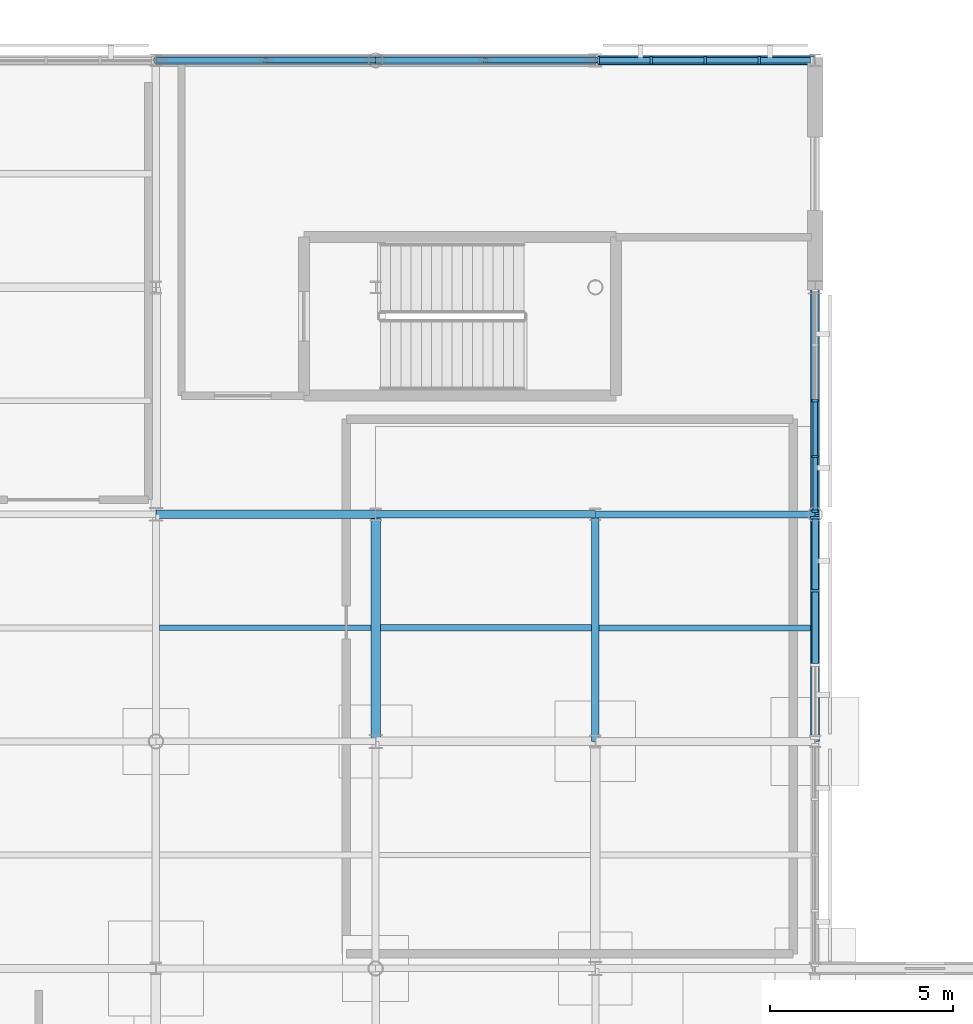
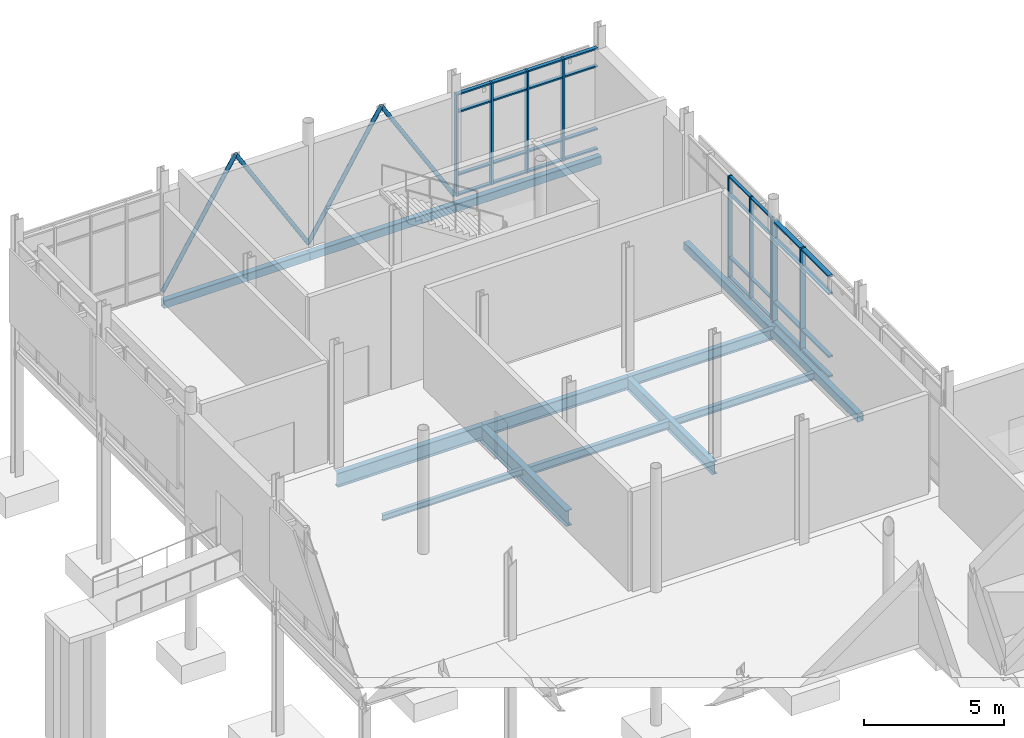
# One storey, part 57 of 98: 45 members, 13 beams, 3 elements without a shape of their own.
"""IFC4 building model written with IfcOpenShell, lengths in metres."""

import ifcopenshell
import ifcopenshell.guid

model = None  # the IFC model being written
_history = None  # IfcOwnerHistory: only IFC2X3 demands one
_inside = {}  # id of a spatial element -> (the spatial element, [elements in it])
_under = {}  # id of a project, library or spatial element -> (it, [spatial elements below it])
_declared = {}  # id of a project -> (the project, [libraries it declares])
_typed = {}  # id of a type object -> (the type object, [elements of that type])
_made_of = {}  # id of a material, layer set ... -> (it, [elements and type objects made of it])


def new_model(schema):
    """Start an empty IFC model of exactly this schema.

    Asked for "IFC4X3", IfcOpenShell would pick the latest addendum, in which some entities
    have other attributes; the version numbers below select the first issue.
    IFC2X3 requires an IfcOwnerHistory on every rooted entity: one is made here for all.
    """
    global model, _history
    if schema == "IFC4X3":
        model = ifcopenshell.file(schema_version=(4, 3, 0, 0))
    else:
        model = ifcopenshell.file(schema=schema)
    _inside.clear()
    _under.clear()
    _declared.clear()
    _typed.clear()
    _made_of.clear()
    _history = None
    if model.schema == "IFC2X3":
        org = make("IfcOrganization", Name="unknown")
        user = make(
            "IfcPersonAndOrganization",
            ThePerson=make("IfcPerson", FamilyName="unknown"),
            TheOrganization=org,
        )
        app = make(
            "IfcApplication",
            ApplicationDeveloper=org,
            Version="unknown",
            ApplicationFullName="unknown",
            ApplicationIdentifier="unknown",
        )
        _history = make(
            "IfcOwnerHistory",
            OwningUser=user,
            OwningApplication=app,
            ChangeAction="ADDED",
            CreationDate=0,
        )
    return model


def make(cls, **values):
    """One entity of the class cls with the attributes given. An attribute that is None is left unset."""
    return model.create_entity(
        cls, **{name: value for name, value in values.items() if value is not None}
    )


def rooted(cls, **values):
    """An entity with a GlobalId (a new one), such as an element, a storey or a relation."""
    return make(cls, GlobalId=ifcopenshell.guid.new(), OwnerHistory=_history, **values)


def si_unit(unit_type, name, prefix=None):
    """IfcSIUnit, for example si_unit("LENGTHUNIT", "METRE", prefix="MILLI")."""
    return make("IfcSIUnit", UnitType=unit_type, Prefix=prefix, Name=name)


def assignment(units):
    """IfcUnitAssignment: the units of a project."""
    return None if units is None else make("IfcUnitAssignment", Units=units)


def point(xyz):
    """IfcCartesianPoint."""
    return None if xyz is None else make("IfcCartesianPoint", Coordinates=xyz)


def direction(xyz):
    """IfcDirection."""
    return None if xyz is None else make("IfcDirection", DirectionRatios=xyz)


def frame(location, z_axis=None, x_axis=None):
    """IfcAxis2Placement3D, a coordinate frame: its origin and axes. An axis left out is left unset."""
    return make(
        "IfcAxis2Placement3D",
        Location=point(location),
        Axis=direction(z_axis),
        RefDirection=direction(x_axis),
    )


def frame_2d(location, x_axis=None):
    """IfcAxis2Placement2D, a coordinate frame in the plane: its origin and x axis."""
    return make(
        "IfcAxis2Placement2D", Location=point(location), RefDirection=direction(x_axis)
    )


def origin():
    """The frame at (0, 0, 0) with its axes left unset."""
    return frame((0.0, 0.0, 0.0))


def origin_2d():
    """The frame at (0, 0) in the plane with its x axis left unset."""
    return frame_2d((0.0, 0.0))


def place(relative_to, where):
    """IfcLocalPlacement: puts the frame where relative to a parent placement (None: the world)."""
    return make(
        "IfcLocalPlacement", PlacementRelTo=relative_to, RelativePlacement=where
    )


def context(
    kind, dimensions, precision=None, world=None, true_north=None, identifier=None
):
    """IfcGeometricRepresentationContext, for example the 3D "Model" context."""
    return make(
        "IfcGeometricRepresentationContext",
        ContextIdentifier=identifier,
        ContextType=kind,
        CoordinateSpaceDimension=dimensions,
        Precision=precision,
        WorldCoordinateSystem=world,
        TrueNorth=true_north,
    )


def subcontext(parent, identifier, kind, view, scale=None):
    """IfcGeometricRepresentationSubContext, for example "Body" below "Model"."""
    return make(
        "IfcGeometricRepresentationSubContext",
        ContextIdentifier=identifier,
        ContextType=kind,
        ParentContext=parent,
        TargetScale=scale,
        TargetView=view,
    )


def project(units=None, contexts=None):
    """IfcProject with its units and contexts."""
    return rooted(
        "IfcProject",
        Name="project",
        RepresentationContexts=contexts,
        UnitsInContext=assignment(units),
    )


def spatial(cls, under=None, at=None, **own):
    """A site, building, storey or space (cls), placed at a placement, below another one or the project."""
    s = rooted(cls, ObjectPlacement=at, **own)
    if under is not None:
        _under.setdefault(under.id(), (under, []))[1].append(s)
    return s


def profile(cls, at=None, kind="AREA", **sizes):
    """A parametric profile (cls). Its sizes go by their IFC names, for example OverallWidth=200.0."""
    return make(cls, ProfileType=kind, Position=at, **sizes)


def rectangle(**sizes):
    """IfcRectangleProfileDef."""
    return profile("IfcRectangleProfileDef", **sizes)


def hollow_rectangle(**sizes):
    """IfcRectangleHollowProfileDef."""
    return profile("IfcRectangleHollowProfileDef", **sizes)


def hollow_circle(**sizes):
    """IfcCircleHollowProfileDef."""
    return profile("IfcCircleHollowProfileDef", **sizes)


def i_section(**sizes):
    """IfcIShapeProfileDef."""
    return profile("IfcIShapeProfileDef", **sizes)


def extrude(swept, where, along, depth):
    """IfcExtrudedAreaSolid: the profile swept, set in the frame where, extruded along a direction by depth."""
    return make(
        "IfcExtrudedAreaSolid",
        SweptArea=swept,
        Position=where,
        ExtrudedDirection=direction(along),
        Depth=depth,
    )


def shape(context_of_items, identifier, shape_type, items):
    """IfcShapeRepresentation: the items that make up one representation, for example the "Body"."""
    return make(
        "IfcShapeRepresentation",
        ContextOfItems=context_of_items,
        RepresentationIdentifier=identifier,
        RepresentationType=shape_type,
        Items=items,
    )


def material(Name=None, Category=None):
    """IfcMaterial."""
    return make("IfcMaterial", Name=Name, Category=Category)


def layer(
    of_material, thickness, ventilated=None, Name=None, Category=None, Priority=None
):
    """IfcMaterialLayer: one layer of a wall or slab, of a material (None: an air gap)."""
    return make(
        "IfcMaterialLayer",
        Material=of_material,
        LayerThickness=thickness,
        IsVentilated=ventilated,
        Name=Name,
        Category=Category,
        Priority=Priority,
    )


def layer_set(layers, Name=None):
    """IfcMaterialLayerSet."""
    return make("IfcMaterialLayerSet", MaterialLayers=layers, LayerSetName=Name)


def material_profile(
    of_material, cross_section, Name=None, Category=None, Priority=None
):
    """IfcMaterialProfile: a cross section and its material."""
    return make(
        "IfcMaterialProfile",
        Name=Name,
        Material=of_material,
        Profile=cross_section,
        Priority=Priority,
        Category=Category,
    )


def profile_set(profiles, Name=None, composite=None):
    """IfcMaterialProfileSet."""
    return make(
        "IfcMaterialProfileSet",
        Name=Name,
        MaterialProfiles=profiles,
        CompositeProfile=composite,
    )


def made_of(thing, what):
    """Note that an element or type object is made of a material, layer set ...; save() writes the relation."""
    if what is not None:
        _made_of.setdefault(what.id(), (what, []))[1].append(thing)
    return thing


def type_object(cls, material=None, **own):
    """A type object (cls), such as IfcWallType, which elements share."""
    return made_of(rooted(cls, **own), material)


def element(
    cls,
    number,
    at=None,
    inside=None,
    cuts=None,
    type_object=None,
    material=None,
    context=None,
    identifier="Body",
    shape_type=None,
    held_by="IfcProductDefinitionShape",
    body=None,
    shapes=None,
    **own,
):
    """One element of the class cls, such as IfcWall. Its Tag is "e" and its number.

    at: its placement. inside: the storey or other place that contains it. cuts: it is an
    opening in that element (IfcRelVoidsElement). A single representation is given by context,
    identifier, shape_type and body (its items); several are given by shapes. held_by: the class
    of the entity that holds the representations. save() writes the other relations.
    """
    e = rooted(cls, Tag="e%d" % number, ObjectPlacement=at, **own)
    if body is not None:
        shapes = [shape(context, identifier, shape_type, body)]
    if shapes is not None:
        e.Representation = make(held_by, Representations=shapes)
    if inside is not None:
        _inside.setdefault(inside.id(), (inside, []))[1].append(e)
    if cuts is not None:
        rooted(
            "IfcRelVoidsElement", RelatingBuildingElement=cuts, RelatedOpeningElement=e
        )
    if type_object is not None:
        _typed.setdefault(type_object.id(), (type_object, []))[1].append(e)
    return made_of(e, material)


def aggregate(whole, parts):
    """IfcRelAggregates: a whole, such as a stair, and the parts it consists of."""
    return rooted("IfcRelAggregates", RelatingObject=whole, RelatedObjects=parts)


def save(model, path):
    """Write the relations noted so far, then the file.

    IfcRelAggregates (storeys below a building ...), IfcRelContainedInSpatialStructure (elements
    in a storey), IfcRelDefinesByType, IfcRelAssociatesMaterial and IfcRelDeclares: one each for
    every whole, place, type object, material and project.
    """
    for whole, parts in _under.values():
        aggregate(whole, parts)
    for where, things in _inside.values():
        rooted(
            "IfcRelContainedInSpatialStructure",
            RelatedElements=things,
            RelatingStructure=where,
        )
    for kind, things in _typed.values():
        rooted("IfcRelDefinesByType", RelatedObjects=things, RelatingType=kind)
    for what, things in _made_of.values():
        rooted("IfcRelAssociatesMaterial", RelatedObjects=things, RelatingMaterial=what)
    for by, libraries in _declared.values():
        rooted("IfcRelDeclares", RelatingContext=by, RelatedDefinitions=libraries)
    model.write(path)


model = new_model("IFC4")

# Units and contexts
model_context = context("Model", 3, precision=1e-05, world=origin(), true_north=direction((0.0, 1.0)))
body_context = subcontext(model_context, "Body", "Model", "MODEL_VIEW")
ifc_project = project(units=[si_unit("LENGTHUNIT", "METRE"), si_unit("AREAUNIT", "SQUARE_METRE"), si_unit("VOLUMEUNIT", "CUBIC_METRE"), si_unit("PLANEANGLEUNIT", "RADIAN"), si_unit("MASSUNIT", "GRAM", prefix="KILO")], contexts=[model_context])

# Site, building, storey
site_placement = place(None, origin())
site = spatial("IfcSite", under=ifc_project, at=site_placement, CompositionType="ELEMENT")
building_placement = place(site_placement, origin())
building = spatial("IfcBuilding", under=site, at=building_placement, Name="Mirzam Square Science Centre", CompositionType="ELEMENT")
storey_placement = place(building_placement, origin())
storey = spatial("IfcBuildingStorey", under=building, at=storey_placement, Name="L00", CompositionType="ELEMENT", Elevation=0.0)

# Beams
ifc_material_1 = material(Name="Steel S355", Category="steel")
ifc_material_profile_1 = material_profile(ifc_material_1, i_section(OverallWidth=0.19140625, OverallDepth=0.4599609375, WebThickness=0.010009765625, FlangeThickness=0.01611328125, FilletRadius=0.01025390625, at=origin_2d()), Name="457x191x82UB")
ifc_profile_set_1 = profile_set([ifc_material_profile_1], Name="Steel S355")
beam_type_1 = type_object("IfcBeamType", Name="BM-UB457", PredefinedType="BEAM", material=ifc_profile_set_1)
beam_1_placement = place(storey_placement, frame((132.0, 99.199951171875, -0.530029296875), z_axis=(1.0, 0.0, 0.0), x_axis=(0.0, 1.0, 0.0)))
element("IfcBeam", 1, at=beam_1_placement, inside=storey, type_object=beam_type_1, Name="L00 girder X23-17", PredefinedType="BEAM", context=body_context, shape_type="SweptSolid", body=[
    extrude(i_section(OverallWidth=0.19140625, OverallDepth=0.4599609375, WebThickness=0.010009765625, FlangeThickness=0.01611328125, FilletRadius=0.01025390625, at=origin_2d()), origin(), (0.0, 0.0, 1.0), 6.0),
])
ifc_material_profile_2 = material_profile(ifc_material_1, i_section(OverallWidth=0.2099609375, OverallDepth=0.53662109375, WebThickness=0.0107421875, FlangeThickness=0.017333984375, FilletRadius=0.0126953125, at=origin_2d()), Name="533x210x101UB")
ifc_profile_set_2 = profile_set([ifc_material_profile_2], Name="Steel S355")
beam_type_2 = type_object("IfcBeamType", Name="BM-UB533", PredefinedType="BEAM", material=ifc_profile_set_2)
beam_2_placement = place(storey_placement, frame((126.0, 99.199951171875, -0.568359375), z_axis=(1.0, 0.0, 0.0), x_axis=(0.0, 1.0, 0.0)))
element("IfcBeam", 2, at=beam_2_placement, inside=storey, type_object=beam_type_2, Name="L00 girder X22-17", PredefinedType="BEAM", context=body_context, shape_type="SweptSolid", body=[
    extrude(i_section(OverallWidth=0.2099609375, OverallDepth=0.53662109375, WebThickness=0.0107421875, FlangeThickness=0.017333984375, FilletRadius=0.0126953125, at=origin_2d()), origin(), (0.0, 0.0, 1.0), 6.0),
])
beam_3_placement = place(storey_placement, frame((132.0, 93.0, -0.568359375), z_axis=(0.0, 1.0, 0.0), x_axis=(-1.0, 0.0, 0.0)))
element("IfcBeam", 3, at=beam_3_placement, inside=storey, type_object=beam_type_2, Name="L00 girder Y23-16", PredefinedType="BEAM", context=body_context, shape_type="SweptSolid", body=[
    extrude(i_section(OverallWidth=0.2099609375, OverallDepth=0.53662109375, WebThickness=0.0107421875, FlangeThickness=0.017333984375, FilletRadius=0.0126953125, at=origin_2d()), origin(), (0.0, 0.0, 1.0), 6.199951171875),
])
ifc_material_profile_3 = material_profile(ifc_material_1, i_section(OverallWidth=0.22900390625, OverallDepth=0.6123046875, WebThickness=0.011962890625, FlangeThickness=0.01953125, FilletRadius=0.0126953125, at=origin_2d()), Name="610x229x125UB")
ifc_profile_set_3 = profile_set([ifc_material_profile_3], Name="Steel S355")
beam_type_3 = type_object("IfcBeamType", Name="BM-UB610", PredefinedType="BEAM", material=ifc_profile_set_3)
beam_4_placement = place(storey_placement, frame((120.0, 99.199951171875, -0.606201171875), z_axis=(1.0, 0.0, 0.0), x_axis=(0.0, 1.0, 0.0)))
element("IfcBeam", 4, at=beam_4_placement, inside=storey, type_object=beam_type_3, Name="L00 girder X21-17", PredefinedType="BEAM", context=body_context, shape_type="SweptSolid", body=[
    extrude(i_section(OverallWidth=0.22900390625, OverallDepth=0.6123046875, WebThickness=0.011962890625, FlangeThickness=0.01953125, FilletRadius=0.0126953125, at=origin_2d()), origin(), (0.0, 0.0, 1.0), 6.0),
])
ifc_material_profile_4 = material_profile(ifc_material_1, i_section(OverallWidth=0.25439453125, OverallDepth=0.6875, WebThickness=0.01318359375, FlangeThickness=0.02099609375, FilletRadius=0.01513671875, at=origin_2d()), Name="686x254x152UB")
ifc_profile_set_4 = profile_set([ifc_material_profile_4], Name="Steel S355")
beam_type_4 = type_object("IfcBeamType", Name="BM-UB686", PredefinedType="BEAM", material=ifc_profile_set_4)
beam_5_placement = place(storey_placement, frame((126.0, 93.0, -0.643798828125), z_axis=(0.0, 1.0, 0.0), x_axis=(-1.0, 0.0, 0.0)))
element("IfcBeam", 5, at=beam_5_placement, inside=storey, type_object=beam_type_4, Name="L00 girder Y22-16", PredefinedType="BEAM", context=body_context, shape_type="SweptSolid", body=[
    extrude(i_section(OverallWidth=0.25439453125, OverallDepth=0.6875, WebThickness=0.01318359375, FlangeThickness=0.02099609375, FilletRadius=0.01513671875, at=origin_2d()), origin(), (0.0, 0.0, 1.0), 6.199951171875),
])

# Members
ifc_material_profile_5 = material_profile(ifc_material_1, hollow_circle(Radius=0.084228515625, WallThickness=0.008056640625, at=origin_2d()), Name="168.3x8.0CHS")
ifc_profile_set_5 = profile_set([ifc_material_profile_5], Name="Steel S355")
member_type_1 = type_object("IfcMemberType", Name="BR-CHS168", PredefinedType="BRACE", material=ifc_profile_set_5)
for number, where, z_axis, x_axis, name in (
    (6, (120.0, 111.60009765625, 0.050048828125), (0.520218218023, 0.0, 0.854033375014), (0.0, 1.0, 0.0), "L00 chevron brace 8A"),
    (7, (126.0, 111.60009765625, 0.050048828125), (-0.520218218023, 0.0, 0.854033375014), (0.0, -1.0, 0.0), "L00 chevron brace 8B"),
    (8, (126.0, 111.60009765625, 0.050048828125), (0.520218218023, 0.0, 0.854033375014), (0.0, 1.0, 0.0), "L00 chevron brace 9A"),
    (9, (132.0, 111.60009765625, 0.050048828125), (-0.520218218023, 0.0, 0.854033375014), (0.0, -1.0, 0.0), "L00 chevron brace 9B"),
):
    element("IfcMember", number, at=place(storey_placement, frame(where, z_axis=z_axis, x_axis=x_axis)), inside=storey, type_object=member_type_1, Name=name, PredefinedType="BRACE", context=body_context, shape_type="SweptSolid", body=[
        extrude(hollow_circle(Radius=0.084228515625, WallThickness=0.008056640625, at=origin_2d()), origin(), (0.0, 0.0, 1.0), 5.766845703125),
    ])

# Curtain wall, members
ifc_material_2 = material(Name="Anodised Aluminium and Low-E Solar Glass", Category="aluminium")
ifc_layer_1 = layer(ifc_material_2, 0.219970703125)
ifc_layer_set_1 = layer_set([ifc_layer_1], Name="CW-OBS-A")
curtain_wall_type_1 = type_object("IfcCurtainWallType", Name="CW-OBS-A", PredefinedType="USERDEFINED", material=ifc_layer_set_1)
curtain_wall_1_placement = place(storey_placement, origin())
curtain_wall_1 = element("IfcCurtainWall", 10, at=curtain_wall_1_placement, inside=storey, type_object=curtain_wall_type_1, Name="L00 unitised curtain wall 79", ObjectType="UNITISED CURTAIN WALL", PredefinedType="USERDEFINED")
ifc_material_3 = material(Name="Anodised Architectural Aluminium 6063-T6", Category="aluminium")
ifc_material_profile_6 = material_profile(ifc_material_3, rectangle(XDim=0.06005859375, YDim=0.159912109375, at=origin_2d()), Name="ALU-MULL-160x60x4")
ifc_profile_set_6 = profile_set([ifc_material_profile_6], Name="Anodised Architectural Aluminium 6063-T6")
member_type_2 = type_object("IfcMemberType", Name="CWM-160", PredefinedType="MULLION", material=ifc_profile_set_6)
member_1_placement = place(storey_placement, frame((138.0, 99.284912109375, 0.0), z_axis=(0.0, 0.0, 1.0), x_axis=(0.0, 1.0, 0.0)))
member_1 = element("IfcMember", 11, at=member_1_placement, type_object=member_type_2, Name="CW-07 mullion 1", PredefinedType="MULLION", context=body_context, shape_type="SweptSolid", body=[
    extrude(rectangle(XDim=0.06005859375, YDim=0.159912109375, at=origin_2d()), origin(), (0.0, 0.0, 1.0), 4.43994140625),
])
member_2_placement = place(storey_placement, frame((138.0, 100.777587890625, 0.0), z_axis=(0.0, 0.0, 1.0), x_axis=(0.0, 1.0, 0.0)))
member_2 = element("IfcMember", 12, at=member_2_placement, type_object=member_type_2, Name="CW-07 mullion 2", PredefinedType="MULLION", context=body_context, shape_type="SweptSolid", body=[
    extrude(rectangle(XDim=0.06005859375, YDim=0.159912109375, at=origin_2d()), origin(), (0.0, 0.0, 1.0), 4.43994140625),
])
member_3_placement = place(storey_placement, frame((138.0, 102.300048828125, 0.0), z_axis=(0.0, 0.0, 1.0), x_axis=(0.0, 1.0, 0.0)))
member_3 = element("IfcMember", 13, at=member_3_placement, type_object=member_type_2, Name="CW-07 mullion 3", PredefinedType="MULLION", context=body_context, shape_type="SweptSolid", body=[
    extrude(rectangle(XDim=0.06005859375, YDim=0.159912109375, at=origin_2d()), origin(), (0.0, 0.0, 1.0), 4.43994140625),
])

curtain_wall_2_placement = place(storey_placement, origin())
curtain_wall_2 = element("IfcCurtainWall", 14, at=curtain_wall_2_placement, inside=storey, type_object=curtain_wall_type_1, Name="L00 unitised curtain wall 74", ObjectType="UNITISED CURTAIN WALL", PredefinedType="USERDEFINED")
ifc_material_profile_7 = material_profile(ifc_material_3, rectangle(XDim=0.06494140625, YDim=0.199951171875, at=origin_2d()), Name="ALU-MULL-200x65x5")
ifc_profile_set_7 = profile_set([ifc_material_profile_7], Name="Anodised Architectural Aluminium 6063-T6")
member_type_3 = type_object("IfcMemberType", Name="CWM-200", PredefinedType="MULLION", material=ifc_profile_set_7)
member_4_placement = place(storey_placement, frame((136.472412109375, 111.60009765625, 0.0), z_axis=(0.0, 0.0, 1.0), x_axis=(-1.0, 0.0, 0.0)))
member_4 = element("IfcMember", 15, at=member_4_placement, type_object=member_type_3, Name="CW-07 mullion 2", PredefinedType="MULLION", context=body_context, shape_type="SweptSolid", body=[
    extrude(rectangle(XDim=0.06494140625, YDim=0.199951171875, at=origin_2d()), origin(), (0.0, 0.0, 1.0), 4.43994140625),
])
member_5_placement = place(storey_placement, frame((135.0, 111.60009765625, 0.0), z_axis=(0.0, 0.0, 1.0), x_axis=(-1.0, 0.0, 0.0)))
member_5 = element("IfcMember", 16, at=member_5_placement, type_object=member_type_3, Name="CW-07 mullion 3", PredefinedType="MULLION", context=body_context, shape_type="SweptSolid", body=[
    extrude(rectangle(XDim=0.06494140625, YDim=0.199951171875, at=origin_2d()), origin(), (0.0, 0.0, 1.0), 4.43994140625),
])
member_6_placement = place(storey_placement, frame((133.527587890625, 111.60009765625, 0.0), z_axis=(0.0, 0.0, 1.0), x_axis=(-1.0, 0.0, 0.0)))
member_6 = element("IfcMember", 17, at=member_6_placement, type_object=member_type_3, Name="CW-07 mullion 4", PredefinedType="MULLION", context=body_context, shape_type="SweptSolid", body=[
    extrude(rectangle(XDim=0.06494140625, YDim=0.199951171875, at=origin_2d()), origin(), (0.0, 0.0, 1.0), 4.43994140625),
])
member_7_placement = place(storey_placement, frame((132.08740234375, 111.60009765625, 0.0), z_axis=(0.0, 0.0, 1.0), x_axis=(-1.0, 0.0, 0.0)))
member_7 = element("IfcMember", 18, at=member_7_placement, type_object=member_type_3, Name="CW-07 mullion 5", PredefinedType="MULLION", context=body_context, shape_type="SweptSolid", body=[
    extrude(rectangle(XDim=0.06494140625, YDim=0.199951171875, at=origin_2d()), origin(), (0.0, 0.0, 1.0), 4.43994140625),
])

ifc_layer_2 = layer(ifc_material_2, 0.239990234375)
ifc_layer_set_2 = layer_set([ifc_layer_2], Name="CW-EAST-B")
curtain_wall_type_2 = type_object("IfcCurtainWallType", Name="CW-EAST-B", PredefinedType="USERDEFINED", material=ifc_layer_set_2)
curtain_wall_3_placement = place(storey_placement, origin())
curtain_wall_3 = element("IfcCurtainWall", 19, at=curtain_wall_3_placement, inside=storey, type_object=curtain_wall_type_2, Name="L00 unitised curtain wall 77", ObjectType="UNITISED CURTAIN WALL", PredefinedType="USERDEFINED")
ifc_material_profile_8 = material_profile(ifc_material_3, rectangle(XDim=0.074951171875, YDim=0.239990234375, at=origin_2d()), Name="ALU-MULL-240x75x5")
ifc_profile_set_8 = profile_set([ifc_material_profile_8], Name="Anodised Architectural Aluminium 6063-T6")
member_type_4 = type_object("IfcMemberType", Name="CWM-240", PredefinedType="MULLION", material=ifc_profile_set_8)
member_8_placement = place(storey_placement, frame((138.0, 97.114990234375, 0.0), z_axis=(0.0, 0.0, 1.0), x_axis=(0.0, 1.0, 0.0)))
member_8 = element("IfcMember", 20, at=member_8_placement, type_object=member_type_4, Name="CW-06 mullion 3", PredefinedType="MULLION", context=body_context, shape_type="SweptSolid", body=[
    extrude(rectangle(XDim=0.074951171875, YDim=0.239990234375, at=origin_2d()), origin(), (0.0, 0.0, 1.0), 4.43994140625),
])
member_9_placement = place(storey_placement, frame((138.0, 99.107421875, 0.0), z_axis=(0.0, 0.0, 1.0), x_axis=(0.0, 1.0, 0.0)))
member_9 = element("IfcMember", 21, at=member_9_placement, type_object=member_type_4, Name="CW-06 mullion 4", PredefinedType="MULLION", context=body_context, shape_type="SweptSolid", body=[
    extrude(rectangle(XDim=0.074951171875, YDim=0.239990234375, at=origin_2d()), origin(), (0.0, 0.0, 1.0), 4.43994140625),
])

# Member
ifc_material_profile_9 = material_profile(ifc_material_3, rectangle(XDim=0.1201171875, YDim=0.06005859375, at=origin_2d()), Name="ALU-TRAN-120x60x4")
ifc_profile_set_9 = profile_set([ifc_material_profile_9], Name="Anodised Architectural Aluminium 6063-T6")
member_type_5 = type_object("IfcMemberType", Name="CWT-120", PredefinedType="USERDEFINED", material=ifc_profile_set_9)
member_10_placement = place(storey_placement, frame((138.0, 99.31494140625, 0.030029296875), z_axis=(0.0, 1.0, 0.0), x_axis=(-1.0, 0.0, 0.0)))
member_10 = element("IfcMember", 22, at=member_10_placement, type_object=member_type_5, Name="CW-07 transom 1.1", ObjectType="TRANSOM", PredefinedType="USERDEFINED", context=body_context, shape_type="SweptSolid", body=[
    extrude(rectangle(XDim=0.1201171875, YDim=0.06005859375, at=origin_2d()), origin(), (0.0, 0.0, 1.0), 1.4326171875),
])

member_11_placement = place(storey_placement, frame((138.0, 99.31494140625, 0.89990234375), z_axis=(0.0, 1.0, 0.0), x_axis=(-1.0, 0.0, 0.0)))
member_11 = element("IfcMember", 23, at=member_11_placement, type_object=member_type_5, Name="CW-07 transom 1.2", ObjectType="TRANSOM", PredefinedType="USERDEFINED", context=body_context, shape_type="SweptSolid", body=[
    extrude(rectangle(XDim=0.1201171875, YDim=0.06005859375, at=origin_2d()), origin(), (0.0, 0.0, 1.0), 1.4326171875),
])

member_12_placement = place(storey_placement, frame((138.0, 99.31494140625, 3.639892578125), z_axis=(0.0, 1.0, 0.0), x_axis=(-1.0, 0.0, 0.0)))
member_12 = element("IfcMember", 24, at=member_12_placement, type_object=member_type_5, Name="CW-07 transom 1.3", ObjectType="TRANSOM", PredefinedType="USERDEFINED", context=body_context, shape_type="SweptSolid", body=[
    extrude(rectangle(XDim=0.1201171875, YDim=0.06005859375, at=origin_2d()), origin(), (0.0, 0.0, 1.0), 1.4326171875),
])

member_13_placement = place(storey_placement, frame((138.0, 99.31494140625, 4.409912109375), z_axis=(0.0, 1.0, 0.0), x_axis=(-1.0, 0.0, 0.0)))
member_13 = element("IfcMember", 25, at=member_13_placement, type_object=member_type_5, Name="CW-07 transom 1.4", ObjectType="TRANSOM", PredefinedType="USERDEFINED", context=body_context, shape_type="SweptSolid", body=[
    extrude(rectangle(XDim=0.1201171875, YDim=0.06005859375, at=origin_2d()), origin(), (0.0, 0.0, 1.0), 1.4326171875),
])

member_14_placement = place(storey_placement, frame((138.0, 100.8076171875, 0.030029296875), z_axis=(0.0, 1.0, 0.0), x_axis=(-1.0, 0.0, 0.0)))
member_14 = element("IfcMember", 26, at=member_14_placement, type_object=member_type_5, Name="CW-07 transom 2.1", ObjectType="TRANSOM", PredefinedType="USERDEFINED", context=body_context, shape_type="SweptSolid", body=[
    extrude(rectangle(XDim=0.1201171875, YDim=0.06005859375, at=origin_2d()), origin(), (0.0, 0.0, 1.0), 1.46240234375),
])

member_15_placement = place(storey_placement, frame((138.0, 100.8076171875, 0.89990234375), z_axis=(0.0, 1.0, 0.0), x_axis=(-1.0, 0.0, 0.0)))
member_15 = element("IfcMember", 27, at=member_15_placement, type_object=member_type_5, Name="CW-07 transom 2.2", ObjectType="TRANSOM", PredefinedType="USERDEFINED", context=body_context, shape_type="SweptSolid", body=[
    extrude(rectangle(XDim=0.1201171875, YDim=0.06005859375, at=origin_2d()), origin(), (0.0, 0.0, 1.0), 1.46240234375),
])

member_16_placement = place(storey_placement, frame((138.0, 100.8076171875, 3.639892578125), z_axis=(0.0, 1.0, 0.0), x_axis=(-1.0, 0.0, 0.0)))
member_16 = element("IfcMember", 28, at=member_16_placement, type_object=member_type_5, Name="CW-07 transom 2.3", ObjectType="TRANSOM", PredefinedType="USERDEFINED", context=body_context, shape_type="SweptSolid", body=[
    extrude(rectangle(XDim=0.1201171875, YDim=0.06005859375, at=origin_2d()), origin(), (0.0, 0.0, 1.0), 1.46240234375),
])

member_17_placement = place(storey_placement, frame((138.0, 100.8076171875, 4.409912109375), z_axis=(0.0, 1.0, 0.0), x_axis=(-1.0, 0.0, 0.0)))
member_17 = element("IfcMember", 29, at=member_17_placement, type_object=member_type_5, Name="CW-07 transom 2.4", ObjectType="TRANSOM", PredefinedType="USERDEFINED", context=body_context, shape_type="SweptSolid", body=[
    extrude(rectangle(XDim=0.1201171875, YDim=0.06005859375, at=origin_2d()), origin(), (0.0, 0.0, 1.0), 1.46240234375),
])

aggregate(curtain_wall_1, [member_1, member_2, member_3, member_10, member_11, member_12, member_13, member_14, member_15, member_16, member_17])

ifc_material_profile_10 = material_profile(ifc_material_3, rectangle(XDim=0.14990234375, YDim=0.06494140625, at=origin_2d()), Name="ALU-TRAN-150x65x4")
ifc_profile_set_10 = profile_set([ifc_material_profile_10], Name="Anodised Architectural Aluminium 6063-T6")
member_type_6 = type_object("IfcMemberType", Name="CWT-150", PredefinedType="USERDEFINED", material=ifc_profile_set_10)
member_18_placement = place(storey_placement, frame((137.8798828125, 111.60009765625, 0.032470703125), z_axis=(-1.0, 0.0, 0.0), x_axis=(0.0, -1.0, 0.0)))
member_18 = element("IfcMember", 30, at=member_18_placement, type_object=member_type_6, Name="CW-07 transom 1.1", ObjectType="TRANSOM", PredefinedType="USERDEFINED", context=body_context, shape_type="SweptSolid", body=[
    extrude(rectangle(XDim=0.14990234375, YDim=0.06494140625, at=origin_2d()), origin(), (0.0, 0.0, 1.0), 1.375),
])

member_19_placement = place(storey_placement, frame((137.8798828125, 111.60009765625, 0.89990234375), z_axis=(-1.0, 0.0, 0.0), x_axis=(0.0, -1.0, 0.0)))
member_19 = element("IfcMember", 31, at=member_19_placement, type_object=member_type_6, Name="CW-07 transom 1.2", ObjectType="TRANSOM", PredefinedType="USERDEFINED", context=body_context, shape_type="SweptSolid", body=[
    extrude(rectangle(XDim=0.14990234375, YDim=0.06494140625, at=origin_2d()), origin(), (0.0, 0.0, 1.0), 1.375),
])

member_20_placement = place(storey_placement, frame((137.8798828125, 111.60009765625, 3.639892578125), z_axis=(-1.0, 0.0, 0.0), x_axis=(0.0, -1.0, 0.0)))
member_20 = element("IfcMember", 32, at=member_20_placement, type_object=member_type_6, Name="CW-07 transom 1.3", ObjectType="TRANSOM", PredefinedType="USERDEFINED", context=body_context, shape_type="SweptSolid", body=[
    extrude(rectangle(XDim=0.14990234375, YDim=0.06494140625, at=origin_2d()), origin(), (0.0, 0.0, 1.0), 1.375),
])

member_21_placement = place(storey_placement, frame((137.8798828125, 111.60009765625, 4.407470703125), z_axis=(-1.0, 0.0, 0.0), x_axis=(0.0, -1.0, 0.0)))
member_21 = element("IfcMember", 33, at=member_21_placement, type_object=member_type_6, Name="CW-07 transom 1.4", ObjectType="TRANSOM", PredefinedType="USERDEFINED", context=body_context, shape_type="SweptSolid", body=[
    extrude(rectangle(XDim=0.14990234375, YDim=0.06494140625, at=origin_2d()), origin(), (0.0, 0.0, 1.0), 1.375),
])

member_22_placement = place(storey_placement, frame((136.43994140625, 111.60009765625, 0.032470703125), z_axis=(-1.0, 0.0, 0.0), x_axis=(0.0, -1.0, 0.0)))
member_22 = element("IfcMember", 34, at=member_22_placement, type_object=member_type_6, Name="CW-07 transom 2.1", ObjectType="TRANSOM", PredefinedType="USERDEFINED", context=body_context, shape_type="SweptSolid", body=[
    extrude(rectangle(XDim=0.14990234375, YDim=0.06494140625, at=origin_2d()), origin(), (0.0, 0.0, 1.0), 1.407470703125),
])

member_23_placement = place(storey_placement, frame((136.43994140625, 111.60009765625, 0.89990234375), z_axis=(-1.0, 0.0, 0.0), x_axis=(0.0, -1.0, 0.0)))
member_23 = element("IfcMember", 35, at=member_23_placement, type_object=member_type_6, Name="CW-07 transom 2.2", ObjectType="TRANSOM", PredefinedType="USERDEFINED", context=body_context, shape_type="SweptSolid", body=[
    extrude(rectangle(XDim=0.14990234375, YDim=0.06494140625, at=origin_2d()), origin(), (0.0, 0.0, 1.0), 1.407470703125),
])

member_24_placement = place(storey_placement, frame((136.43994140625, 111.60009765625, 3.639892578125), z_axis=(-1.0, 0.0, 0.0), x_axis=(0.0, -1.0, 0.0)))
member_24 = element("IfcMember", 36, at=member_24_placement, type_object=member_type_6, Name="CW-07 transom 2.3", ObjectType="TRANSOM", PredefinedType="USERDEFINED", context=body_context, shape_type="SweptSolid", body=[
    extrude(rectangle(XDim=0.14990234375, YDim=0.06494140625, at=origin_2d()), origin(), (0.0, 0.0, 1.0), 1.407470703125),
])

member_25_placement = place(storey_placement, frame((136.43994140625, 111.60009765625, 4.407470703125), z_axis=(-1.0, 0.0, 0.0), x_axis=(0.0, -1.0, 0.0)))
member_25 = element("IfcMember", 37, at=member_25_placement, type_object=member_type_6, Name="CW-07 transom 2.4", ObjectType="TRANSOM", PredefinedType="USERDEFINED", context=body_context, shape_type="SweptSolid", body=[
    extrude(rectangle(XDim=0.14990234375, YDim=0.06494140625, at=origin_2d()), origin(), (0.0, 0.0, 1.0), 1.407470703125),
])

member_26_placement = place(storey_placement, frame((134.967529296875, 111.60009765625, 0.032470703125), z_axis=(-1.0, 0.0, 0.0), x_axis=(0.0, -1.0, 0.0)))
member_26 = element("IfcMember", 38, at=member_26_placement, type_object=member_type_6, Name="CW-07 transom 3.1", ObjectType="TRANSOM", PredefinedType="USERDEFINED", context=body_context, shape_type="SweptSolid", body=[
    extrude(rectangle(XDim=0.14990234375, YDim=0.06494140625, at=origin_2d()), origin(), (0.0, 0.0, 1.0), 1.407470703125),
])

member_27_placement = place(storey_placement, frame((134.967529296875, 111.60009765625, 0.89990234375), z_axis=(-1.0, 0.0, 0.0), x_axis=(0.0, -1.0, 0.0)))
member_27 = element("IfcMember", 39, at=member_27_placement, type_object=member_type_6, Name="CW-07 transom 3.2", ObjectType="TRANSOM", PredefinedType="USERDEFINED", context=body_context, shape_type="SweptSolid", body=[
    extrude(rectangle(XDim=0.14990234375, YDim=0.06494140625, at=origin_2d()), origin(), (0.0, 0.0, 1.0), 1.407470703125),
])

member_28_placement = place(storey_placement, frame((134.967529296875, 111.60009765625, 3.639892578125), z_axis=(-1.0, 0.0, 0.0), x_axis=(0.0, -1.0, 0.0)))
member_28 = element("IfcMember", 40, at=member_28_placement, type_object=member_type_6, Name="CW-07 transom 3.3", ObjectType="TRANSOM", PredefinedType="USERDEFINED", context=body_context, shape_type="SweptSolid", body=[
    extrude(rectangle(XDim=0.14990234375, YDim=0.06494140625, at=origin_2d()), origin(), (0.0, 0.0, 1.0), 1.407470703125),
])

member_29_placement = place(storey_placement, frame((134.967529296875, 111.60009765625, 4.407470703125), z_axis=(-1.0, 0.0, 0.0), x_axis=(0.0, -1.0, 0.0)))
member_29 = element("IfcMember", 41, at=member_29_placement, type_object=member_type_6, Name="CW-07 transom 3.4", ObjectType="TRANSOM", PredefinedType="USERDEFINED", context=body_context, shape_type="SweptSolid", body=[
    extrude(rectangle(XDim=0.14990234375, YDim=0.06494140625, at=origin_2d()), origin(), (0.0, 0.0, 1.0), 1.407470703125),
])

member_30_placement = place(storey_placement, frame((133.4951171875, 111.60009765625, 0.032470703125), z_axis=(-1.0, 0.0, 0.0), x_axis=(0.0, -1.0, 0.0)))
member_30 = element("IfcMember", 42, at=member_30_placement, type_object=member_type_6, Name="CW-07 transom 4.1", ObjectType="TRANSOM", PredefinedType="USERDEFINED", context=body_context, shape_type="SweptSolid", body=[
    extrude(rectangle(XDim=0.14990234375, YDim=0.06494140625, at=origin_2d()), origin(), (0.0, 0.0, 1.0), 1.375),
])

member_31_placement = place(storey_placement, frame((133.4951171875, 111.60009765625, 0.89990234375), z_axis=(-1.0, 0.0, 0.0), x_axis=(0.0, -1.0, 0.0)))
member_31 = element("IfcMember", 43, at=member_31_placement, type_object=member_type_6, Name="CW-07 transom 4.2", ObjectType="TRANSOM", PredefinedType="USERDEFINED", context=body_context, shape_type="SweptSolid", body=[
    extrude(rectangle(XDim=0.14990234375, YDim=0.06494140625, at=origin_2d()), origin(), (0.0, 0.0, 1.0), 1.375),
])

member_32_placement = place(storey_placement, frame((133.4951171875, 111.60009765625, 3.639892578125), z_axis=(-1.0, 0.0, 0.0), x_axis=(0.0, -1.0, 0.0)))
member_32 = element("IfcMember", 44, at=member_32_placement, type_object=member_type_6, Name="CW-07 transom 4.3", ObjectType="TRANSOM", PredefinedType="USERDEFINED", context=body_context, shape_type="SweptSolid", body=[
    extrude(rectangle(XDim=0.14990234375, YDim=0.06494140625, at=origin_2d()), origin(), (0.0, 0.0, 1.0), 1.375),
])

member_33_placement = place(storey_placement, frame((133.4951171875, 111.60009765625, 4.407470703125), z_axis=(-1.0, 0.0, 0.0), x_axis=(0.0, -1.0, 0.0)))
member_33 = element("IfcMember", 45, at=member_33_placement, type_object=member_type_6, Name="CW-07 transom 4.4", ObjectType="TRANSOM", PredefinedType="USERDEFINED", context=body_context, shape_type="SweptSolid", body=[
    extrude(rectangle(XDim=0.14990234375, YDim=0.06494140625, at=origin_2d()), origin(), (0.0, 0.0, 1.0), 1.375),
])

aggregate(curtain_wall_2, [member_4, member_5, member_6, member_7, member_18, member_19, member_20, member_21, member_22, member_23, member_24, member_25, member_26, member_27, member_28, member_29, member_30, member_31, member_32, member_33])

ifc_material_profile_11 = material_profile(ifc_material_3, rectangle(XDim=0.179931640625, YDim=0.074951171875, at=origin_2d()), Name="ALU-TRAN-180x75x5")
ifc_profile_set_11 = profile_set([ifc_material_profile_11], Name="Anodised Architectural Aluminium 6063-T6")
member_type_7 = type_object("IfcMemberType", Name="CWT-180", PredefinedType="USERDEFINED", material=ifc_profile_set_11)
member_34_placement = place(storey_placement, frame((138.0, 95.12255859375, 0.03759765625), z_axis=(0.0, 1.0, 0.0), x_axis=(-1.0, 0.0, 0.0)))
member_34 = element("IfcMember", 46, at=member_34_placement, type_object=member_type_7, Name="CW-06 transom 2.1", ObjectType="TRANSOM", PredefinedType="USERDEFINED", context=body_context, shape_type="SweptSolid", body=[
    extrude(rectangle(XDim=0.179931640625, YDim=0.074951171875, at=origin_2d()), origin(), (0.0, 0.0, 1.0), 1.954833984375),
])

member_35_placement = place(storey_placement, frame((138.0, 95.12255859375, 0.89990234375), z_axis=(0.0, 1.0, 0.0), x_axis=(-1.0, 0.0, 0.0)))
member_35 = element("IfcMember", 47, at=member_35_placement, type_object=member_type_7, Name="CW-06 transom 2.2", ObjectType="TRANSOM", PredefinedType="USERDEFINED", context=body_context, shape_type="SweptSolid", body=[
    extrude(rectangle(XDim=0.179931640625, YDim=0.074951171875, at=origin_2d()), origin(), (0.0, 0.0, 1.0), 1.954833984375),
])

member_36_placement = place(storey_placement, frame((138.0, 95.12255859375, 3.639892578125), z_axis=(0.0, 1.0, 0.0), x_axis=(-1.0, 0.0, 0.0)))
member_36 = element("IfcMember", 48, at=member_36_placement, type_object=member_type_7, Name="CW-06 transom 2.3", ObjectType="TRANSOM", PredefinedType="USERDEFINED", context=body_context, shape_type="SweptSolid", body=[
    extrude(rectangle(XDim=0.179931640625, YDim=0.074951171875, at=origin_2d()), origin(), (0.0, 0.0, 1.0), 1.954833984375),
])

member_37_placement = place(storey_placement, frame((138.0, 95.12255859375, 4.402587890625), z_axis=(0.0, 1.0, 0.0), x_axis=(-1.0, 0.0, 0.0)))
member_37 = element("IfcMember", 49, at=member_37_placement, type_object=member_type_7, Name="CW-06 transom 2.4", ObjectType="TRANSOM", PredefinedType="USERDEFINED", context=body_context, shape_type="SweptSolid", body=[
    extrude(rectangle(XDim=0.179931640625, YDim=0.074951171875, at=origin_2d()), origin(), (0.0, 0.0, 1.0), 1.954833984375),
])

member_38_placement = place(storey_placement, frame((138.0, 97.152587890625, 0.03759765625), z_axis=(0.0, 1.0, 0.0), x_axis=(-1.0, 0.0, 0.0)))
member_38 = element("IfcMember", 50, at=member_38_placement, type_object=member_type_7, Name="CW-06 transom 3.1", ObjectType="TRANSOM", PredefinedType="USERDEFINED", context=body_context, shape_type="SweptSolid", body=[
    extrude(rectangle(XDim=0.179931640625, YDim=0.074951171875, at=origin_2d()), origin(), (0.0, 0.0, 1.0), 1.91748046875),
])

member_39_placement = place(storey_placement, frame((138.0, 97.152587890625, 0.89990234375), z_axis=(0.0, 1.0, 0.0), x_axis=(-1.0, 0.0, 0.0)))
member_39 = element("IfcMember", 51, at=member_39_placement, type_object=member_type_7, Name="CW-06 transom 3.2", ObjectType="TRANSOM", PredefinedType="USERDEFINED", context=body_context, shape_type="SweptSolid", body=[
    extrude(rectangle(XDim=0.179931640625, YDim=0.074951171875, at=origin_2d()), origin(), (0.0, 0.0, 1.0), 1.91748046875),
])

member_40_placement = place(storey_placement, frame((138.0, 97.152587890625, 3.639892578125), z_axis=(0.0, 1.0, 0.0), x_axis=(-1.0, 0.0, 0.0)))
member_40 = element("IfcMember", 52, at=member_40_placement, type_object=member_type_7, Name="CW-06 transom 3.3", ObjectType="TRANSOM", PredefinedType="USERDEFINED", context=body_context, shape_type="SweptSolid", body=[
    extrude(rectangle(XDim=0.179931640625, YDim=0.074951171875, at=origin_2d()), origin(), (0.0, 0.0, 1.0), 1.91748046875),
])

member_41_placement = place(storey_placement, frame((138.0, 97.152587890625, 4.402587890625), z_axis=(0.0, 1.0, 0.0), x_axis=(-1.0, 0.0, 0.0)))
member_41 = element("IfcMember", 53, at=member_41_placement, type_object=member_type_7, Name="CW-06 transom 3.4", ObjectType="TRANSOM", PredefinedType="USERDEFINED", context=body_context, shape_type="SweptSolid", body=[
    extrude(rectangle(XDim=0.179931640625, YDim=0.074951171875, at=origin_2d()), origin(), (0.0, 0.0, 1.0), 1.91748046875),
])

aggregate(curtain_wall_3, [member_8, member_9, member_34, member_35, member_36, member_37, member_38, member_39, member_40, member_41])

# Beams
ifc_material_profile_12 = material_profile(ifc_material_1, i_section(OverallWidth=0.146484375, OverallDepth=0.256103515625, WebThickness=0.00634765625, FlangeThickness=0.010986328125, FilletRadius=0.007568359375, at=origin_2d()), Name="254x146x37UB")
ifc_profile_set_12 = profile_set([ifc_material_profile_12], Name="Steel S355")
beam_type_5 = type_object("IfcBeamType", Name="JS-UB254", PredefinedType="JOIST", material=ifc_profile_set_12)
beam_6_placement = place(storey_placement, frame((120.095703125, 96.10009765625, -0.427978515625), z_axis=(1.0, 0.0, 0.0), x_axis=(0.0, 1.0, 0.0)))
element("IfcBeam", 54, at=beam_6_placement, inside=storey, type_object=beam_type_5, Name="L00 composite joist 21-16", PredefinedType="JOIST", context=body_context, shape_type="SweptSolid", body=[
    extrude(i_section(OverallWidth=0.146484375, OverallDepth=0.256103515625, WebThickness=0.00634765625, FlangeThickness=0.010986328125, FilletRadius=0.007568359375, at=origin_2d()), origin(), (0.0, 0.0, 1.0), 5.777099609375),
])
ifc_material_profile_13 = material_profile(ifc_material_1, i_section(OverallWidth=0.165771484375, OverallDepth=0.306640625, WebThickness=0.006591796875, FlangeThickness=0.01171875, FilletRadius=0.0087890625, at=origin_2d()), Name="305x165x46UB")
ifc_profile_set_13 = profile_set([ifc_material_profile_13], Name="Steel S355")
beam_type_6 = type_object("IfcBeamType", Name="JS-UB305", PredefinedType="JOIST", material=ifc_profile_set_13)
beam_7_placement = place(storey_placement, frame((132.10498046875, 96.10009765625, -0.453369140625), z_axis=(1.0, 0.0, 0.0), x_axis=(0.0, 1.0, 0.0)))
element("IfcBeam", 55, at=beam_7_placement, inside=storey, type_object=beam_type_6, Name="L00 composite joist 23-16", PredefinedType="JOIST", context=body_context, shape_type="SweptSolid", body=[
    extrude(i_section(OverallWidth=0.165771484375, OverallDepth=0.306640625, WebThickness=0.006591796875, FlangeThickness=0.01171875, FilletRadius=0.0087890625, at=origin_2d()), origin(), (0.0, 0.0, 1.0), 5.77001953125),
])
ifc_material_profile_14 = material_profile(ifc_material_1, i_section(OverallWidth=0.172119140625, OverallDepth=0.35791015625, WebThickness=0.008056640625, FlangeThickness=0.012939453125, FilletRadius=0.01025390625, at=origin_2d()), Name="356x171x57UB")
ifc_profile_set_14 = profile_set([ifc_material_profile_14], Name="Steel S355")
beam_type_7 = type_object("IfcBeamType", Name="JS-UB356", PredefinedType="JOIST", material=ifc_profile_set_14)
beam_8_placement = place(storey_placement, frame((126.127197265625, 96.10009765625, -0.47900390625), z_axis=(1.0, 0.0, 0.0), x_axis=(0.0, 1.0, 0.0)))
element("IfcBeam", 56, at=beam_8_placement, inside=storey, type_object=beam_type_7, Name="L00 composite joist 22-16", PredefinedType="JOIST", context=body_context, shape_type="SweptSolid", body=[
    extrude(i_section(OverallWidth=0.172119140625, OverallDepth=0.35791015625, WebThickness=0.008056640625, FlangeThickness=0.012939453125, FilletRadius=0.01025390625, at=origin_2d()), origin(), (0.0, 0.0, 1.0), 5.767822265625),
])
ifc_material_profile_15 = material_profile(ifc_material_1, hollow_rectangle(XDim=0.25, YDim=0.35009765625, WallThickness=0.012451171875, InnerFilletRadius=0.012451171875, OuterFilletRadius=0.02490234375, at=origin_2d()), Name="350x250x12.5RHS")
ifc_profile_set_15 = profile_set([ifc_material_profile_15], Name="Steel S355")
beam_type_8 = type_object("IfcBeamType", Name="SP-RHS350", PredefinedType="SPANDREL", material=ifc_profile_set_15)
for number, where, z_axis, x_axis, name in (
    (57, (120.0, 111.60009765625, -0.47509765625), (1.0, 0.0, 0.0), (0.0, 1.0, 0.0), "L00 girder X21-19"),
    (58, (126.0, 111.60009765625, -0.47509765625), (1.0, 0.0, 0.0), (0.0, 1.0, 0.0), "L00 girder X22-19"),
    (59, (132.0, 111.60009765625, -0.47509765625), (1.0, 0.0, 0.0), (0.0, 1.0, 0.0), "L00 girder X23-19"),
):
    element("IfcBeam", number, at=place(storey_placement, frame(where, z_axis=z_axis, x_axis=x_axis)), inside=storey, type_object=beam_type_8, Name=name, PredefinedType="SPANDREL", context=body_context, shape_type="SweptSolid", body=[
        extrude(hollow_rectangle(XDim=0.25, YDim=0.35009765625, WallThickness=0.012451171875, InnerFilletRadius=0.012451171875, OuterFilletRadius=0.02490234375, at=origin_2d()), origin(), (0.0, 0.0, 1.0), 6.0),
    ])
for number, where, z_axis, x_axis, name in (
    (60, (138.0, 93.0, -0.47509765625), (0.0, 1.0, 0.0), (-1.0, 0.0, 0.0), "L00 girder Y24-16"),
    (61, (138.0, 99.199951171875, -0.47509765625), (0.0, 1.0, 0.0), (-1.0, 0.0, 0.0), "L00 girder Y24-17"),
):
    element("IfcBeam", number, at=place(storey_placement, frame(where, z_axis=z_axis, x_axis=x_axis)), inside=storey, type_object=beam_type_8, Name=name, PredefinedType="SPANDREL", context=body_context, shape_type="SweptSolid", body=[
        extrude(hollow_rectangle(XDim=0.25, YDim=0.35009765625, WallThickness=0.012451171875, InnerFilletRadius=0.012451171875, OuterFilletRadius=0.02490234375, at=origin_2d()), origin(), (0.0, 0.0, 1.0), 6.199951171875),
    ])

save(model, "model.ifc")
